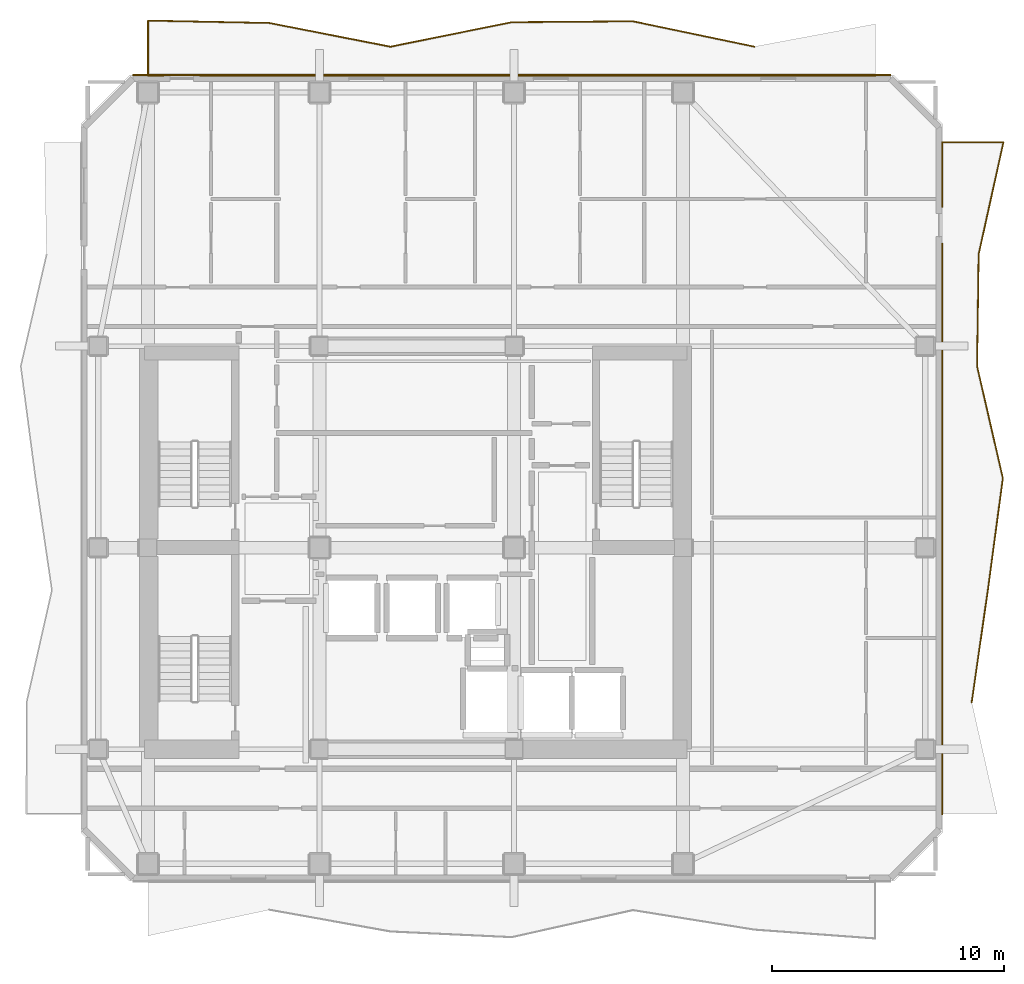
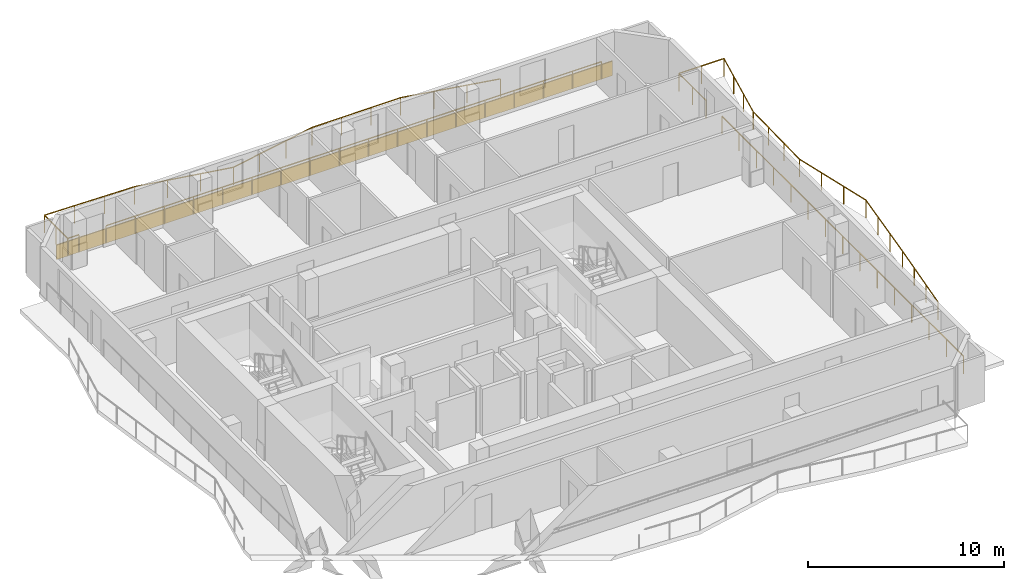
# One storey, part 9 of 9: 4 railings, 1 covering.
"""IFC4 building model written with IfcOpenShell, lengths in metres."""

from ifc_helpers import new_model, si_unit, direction, frame, frame_2d, origin, origin_2d, place, context, subcontext, project, spatial, rectangle, extrude, material, layer, layer_set, type_object, element, save


model = new_model("IFC4")

# Units and contexts
model_context = context("Model", 3, precision=1e-05, world=origin(), true_north=direction((0.0, 1.0)))
body_context = subcontext(model_context, "Body", "Model", "MODEL_VIEW")
ifc_project = project(units=[si_unit("LENGTHUNIT", "METRE"), si_unit("AREAUNIT", "SQUARE_METRE"), si_unit("VOLUMEUNIT", "CUBIC_METRE"), si_unit("PLANEANGLEUNIT", "RADIAN"), si_unit("MASSUNIT", "GRAM", prefix="KILO")], contexts=[model_context])

# Site, building, storey
site_placement = place(None, origin())
site = spatial("IfcSite", under=ifc_project, at=site_placement, CompositionType="ELEMENT")
building_placement = place(site_placement, origin())
building = spatial("IfcBuilding", under=site, at=building_placement, Name="Solanera Arch Residences", CompositionType="ELEMENT")
storey_placement = place(building_placement, frame((0.0, 0.0, 247.8798828125)))
storey = spatial("IfcBuildingStorey", under=building, at=storey_placement, Name="L72", CompositionType="ELEMENT", Elevation=247.8798828125)

# Railings
ifc_material_1 = material(Name="Steel S355 (ASTM A992 / A572 Grade 50)", Category="steel")
railing_type = type_object("IfcRailingType", Name="Balustrade Railing BL-1100", PredefinedType="BALUSTRADE", material=ifc_material_1)
railing_1_placement = place(storey_placement, frame((39.56689453125, 52.3330078125, 0.0)))
element("IfcRailing", 1, at=railing_1_placement, inside=storey, type_object=railing_type, Name="L72 N Balcony Balustrade 1", PredefinedType="BALUSTRADE", context=body_context, shape_type="SweptSolid", body=[
    extrude(rectangle(XDim=0.048095703125, YDim=0.048095703125, at=origin_2d()), frame((0.0, 0.0, 1.09619140625), z_axis=(-0.97884573591, 0.2045996708, 0.0), x_axis=(-0.2045996708, -0.97884573591, 0.0)), (0.0, 0.0, 1.0), 5.346923828125),
    extrude(rectangle(XDim=0.048095703125, YDim=0.048095703125, at=origin_2d()), frame((-5.23388671875, 1.093994140625, 1.09619140625), z_axis=(-0.999970729363, -0.007651171019, 0.0), x_axis=(0.007651171019, -0.999970729363, 0.0)), (0.0, 0.0, 1.0), 5.233154296875),
    extrude(rectangle(XDim=0.048095703125, YDim=0.048095703125, at=origin_2d()), frame((-10.466796875, 1.053955078125, 1.09619140625), z_axis=(-0.980209583843, -0.197962551363, 0.0), x_axis=(0.197962551363, -0.980209583843, 0.0)), (0.0, 0.0, 1.0), 5.3388671875),
    extrude(rectangle(XDim=0.048095703125, YDim=0.048095703125, at=origin_2d()), frame((-15.699951171875, -0.0029296875, 1.09619140625), z_axis=(-0.981396030262, 0.191994353527, 0.0), x_axis=(-0.191994353527, -0.981396030262, 0.0)), (0.0, 0.0, 1.0), 5.3330078125),
    extrude(rectangle(XDim=0.048095703125, YDim=0.048095703125, at=origin_2d()), frame((-20.933837890625, 1.02099609375, 1.09619140625), z_axis=(-0.999806258925, 0.019683612842, 0.0), x_axis=(-0.019683612842, -0.999806258925, 0.0)), (0.0, 0.0, 1.0), 5.234130859375),
    extrude(rectangle(XDim=0.048095703125, YDim=0.048095703125, at=origin_2d()), frame((-26.1669921875, 1.1240234375, 1.09619140625), z_axis=(0.0, -1.0, 0.0), x_axis=(1.0, 0.0, 0.0)), (0.0, 0.0, 1.0), 2.376953125),
    extrude(rectangle(XDim=0.048095703125, YDim=0.048095703125, at=origin_2d()), frame((-26.1669921875, -1.2529296875, 1.09619140625), z_axis=(1.0, 0.0, 0.0), x_axis=(0.0, 1.0, 0.0)), (0.0, 0.0, 1.0), 0.655029296875),
    extrude(rectangle(XDim=0.0419921875, YDim=0.0419921875, at=origin_2d()), origin(), (0.0, 0.0, 1.0), 1.072021484375),
    extrude(rectangle(XDim=0.0419921875, YDim=0.0419921875, at=origin_2d()), frame((-1.74462890625, 0.36474609375, 0.0)), (0.0, 0.0, 1.0), 1.072021484375),
    extrude(rectangle(XDim=0.0419921875, YDim=0.0419921875, at=origin_2d()), frame((-3.4892578125, 0.729248046875, 0.0)), (0.0, 0.0, 1.0), 1.072021484375),
    extrude(rectangle(XDim=0.0419921875, YDim=0.0419921875, at=origin_2d()), frame((-5.23388671875, 1.093994140625, 0.0)), (0.0, 0.0, 1.0), 1.072021484375),
    extrude(rectangle(XDim=0.0419921875, YDim=0.0419921875, at=origin_2d()), frame((-6.978271484375, 1.08056640625, 0.0)), (0.0, 0.0, 1.0), 1.072021484375),
    extrude(rectangle(XDim=0.0419921875, YDim=0.0419921875, at=origin_2d()), frame((-8.722412109375, 1.0673828125, 0.0)), (0.0, 0.0, 1.0), 1.072021484375),
    extrude(rectangle(XDim=0.0419921875, YDim=0.0419921875, at=origin_2d()), frame((-10.466796875, 1.053955078125, 0.0)), (0.0, 0.0, 1.0), 1.072021484375),
    extrude(rectangle(XDim=0.0419921875, YDim=0.0419921875, at=origin_2d()), frame((-12.211181640625, 0.70166015625, 0.0)), (0.0, 0.0, 1.0), 1.072021484375),
    extrude(rectangle(XDim=0.0419921875, YDim=0.0419921875, at=origin_2d()), frame((-13.95556640625, 0.349365234375, 0.0)), (0.0, 0.0, 1.0), 1.072021484375),
    extrude(rectangle(XDim=0.0419921875, YDim=0.0419921875, at=origin_2d()), frame((-15.699951171875, -0.0029296875, 0.0)), (0.0, 0.0, 1.0), 1.072021484375),
    extrude(rectangle(XDim=0.0419921875, YDim=0.0419921875, at=origin_2d()), frame((-17.444580078125, 0.33837890625, 0.0)), (0.0, 0.0, 1.0), 1.072021484375),
    extrude(rectangle(XDim=0.0419921875, YDim=0.0419921875, at=origin_2d()), frame((-19.189208984375, 0.6796875, 0.0)), (0.0, 0.0, 1.0), 1.072021484375),
    extrude(rectangle(XDim=0.0419921875, YDim=0.0419921875, at=origin_2d()), frame((-20.933837890625, 1.02099609375, 0.0)), (0.0, 0.0, 1.0), 1.072021484375),
    extrude(rectangle(XDim=0.0419921875, YDim=0.0419921875, at=origin_2d()), frame((-22.67822265625, 1.055419921875, 0.0)), (0.0, 0.0, 1.0), 1.072021484375),
    extrude(rectangle(XDim=0.0419921875, YDim=0.0419921875, at=origin_2d()), frame((-24.422607421875, 1.089599609375, 0.0)), (0.0, 0.0, 1.0), 1.072021484375),
    extrude(rectangle(XDim=0.0419921875, YDim=0.0419921875, at=origin_2d()), frame((-26.1669921875, 1.1240234375, 0.0)), (0.0, 0.0, 1.0), 1.072021484375),
    extrude(rectangle(XDim=0.0419921875, YDim=0.0419921875, at=origin_2d()), frame((-26.1669921875, -0.064453125, 0.0)), (0.0, 0.0, 1.0), 1.072021484375),
    extrude(rectangle(XDim=0.0419921875, YDim=0.0419921875, at=origin_2d()), frame((-26.1669921875, -1.2529296875, 0.0)), (0.0, 0.0, 1.0), 1.072021484375),
    extrude(rectangle(XDim=0.0419921875, YDim=0.0419921875, at=origin_2d()), frame((-25.511962890625, -1.2529296875, 0.0)), (0.0, 0.0, 1.0), 1.072021484375),
])
railing_2_placement = place(storey_placement, frame((15.655029296875, 51.080078125, 0.0)))
element("IfcRailing", 2, at=railing_2_placement, inside=storey, type_object=railing_type, Name="L72 N Balcony Balustrade 2", PredefinedType="BALUSTRADE", context=body_context, shape_type="SweptSolid", body=[
    extrude(rectangle(XDim=0.048095703125, YDim=0.048095703125, at=origin_2d()), frame((0.0, 0.0, 1.09619140625), z_axis=(1.0, 0.0, 0.0), x_axis=(0.0, 1.0, 0.0)), (0.0, 0.0, 1.0), 29.14501953125),
    extrude(rectangle(XDim=0.0419921875, YDim=0.0419921875, at=origin_2d()), origin(), (0.0, 0.0, 1.0), 1.072021484375),
    extrude(rectangle(XDim=0.0419921875, YDim=0.0419921875, at=origin_2d()), frame((1.71435546875, 0.0, 0.0)), (0.0, 0.0, 1.0), 1.072021484375),
    extrude(rectangle(XDim=0.0419921875, YDim=0.0419921875, at=origin_2d()), frame((3.4287109375, 0.0, 0.0)), (0.0, 0.0, 1.0), 1.072021484375),
    extrude(rectangle(XDim=0.0419921875, YDim=0.0419921875, at=origin_2d()), frame((5.143310546875, 0.0, 0.0)), (0.0, 0.0, 1.0), 1.072021484375),
    extrude(rectangle(XDim=0.0419921875, YDim=0.0419921875, at=origin_2d()), frame((6.857666015625, 0.0, 0.0)), (0.0, 0.0, 1.0), 1.072021484375),
    extrude(rectangle(XDim=0.0419921875, YDim=0.0419921875, at=origin_2d()), frame((8.572021484375, 0.0, 0.0)), (0.0, 0.0, 1.0), 1.072021484375),
    extrude(rectangle(XDim=0.0419921875, YDim=0.0419921875, at=origin_2d()), frame((10.286376953125, 0.0, 0.0)), (0.0, 0.0, 1.0), 1.072021484375),
    extrude(rectangle(XDim=0.0419921875, YDim=0.0419921875, at=origin_2d()), frame((12.0009765625, 0.0, 0.0)), (0.0, 0.0, 1.0), 1.072021484375),
    extrude(rectangle(XDim=0.0419921875, YDim=0.0419921875, at=origin_2d()), frame((13.71533203125, 0.0, 0.0)), (0.0, 0.0, 1.0), 1.072021484375),
    extrude(rectangle(XDim=0.0419921875, YDim=0.0419921875, at=origin_2d()), frame((15.4296875, 0.0, 0.0)), (0.0, 0.0, 1.0), 1.072021484375),
    extrude(rectangle(XDim=0.0419921875, YDim=0.0419921875, at=origin_2d()), frame((17.14404296875, 0.0, 0.0)), (0.0, 0.0, 1.0), 1.072021484375),
    extrude(rectangle(XDim=0.0419921875, YDim=0.0419921875, at=origin_2d()), frame((18.858642578125, 0.0, 0.0)), (0.0, 0.0, 1.0), 1.072021484375),
    extrude(rectangle(XDim=0.0419921875, YDim=0.0419921875, at=origin_2d()), frame((20.572998046875, 0.0, 0.0)), (0.0, 0.0, 1.0), 1.072021484375),
    extrude(rectangle(XDim=0.0419921875, YDim=0.0419921875, at=origin_2d()), frame((22.287353515625, 0.0, 0.0)), (0.0, 0.0, 1.0), 1.072021484375),
    extrude(rectangle(XDim=0.0419921875, YDim=0.0419921875, at=origin_2d()), frame((24.001708984375, 0.0, 0.0)), (0.0, 0.0, 1.0), 1.072021484375),
    extrude(rectangle(XDim=0.0419921875, YDim=0.0419921875, at=origin_2d()), frame((25.71630859375, 0.0, 0.0)), (0.0, 0.0, 1.0), 1.072021484375),
    extrude(rectangle(XDim=0.0419921875, YDim=0.0419921875, at=origin_2d()), frame((27.4306640625, 0.0, 0.0)), (0.0, 0.0, 1.0), 1.072021484375),
    extrude(rectangle(XDim=0.0419921875, YDim=0.0419921875, at=origin_2d()), frame((29.14501953125, 0.0, 0.0)), (0.0, 0.0, 1.0), 1.072021484375),
])
railing_3_placement = place(storey_placement, frame((48.9619140625, 24.032958984375, 0.0)))
element("IfcRailing", 3, at=railing_3_placement, inside=storey, type_object=railing_type, Name="L72 E Balcony Balustrade 1", PredefinedType="BALUSTRADE", context=body_context, shape_type="SweptSolid", body=[
    extrude(rectangle(XDim=0.048095703125, YDim=0.048095703125, at=origin_2d()), frame((0.0, 0.0, 1.09619140625), z_axis=(0.14271592618, 0.989763691198, 0.0), x_axis=(-0.989763691198, 0.14271592618, 0.0)), (0.0, 0.0, 1.0), 4.884033203125),
    extrude(rectangle(XDim=0.048095703125, YDim=0.048095703125, at=origin_2d()), frame((0.697021484375, 4.833984375, 1.09619140625), z_axis=(0.132681879596, 0.991158674899, 0.0), x_axis=(-0.991158674899, 0.132681879596, 0.0)), (0.0, 0.0, 1.0), 4.876220703125),
    extrude(rectangle(XDim=0.048095703125, YDim=0.048095703125, at=origin_2d()), frame((1.343994140625, 9.6669921875, 1.09619140625), z_axis=(-0.224377716095, 0.974502252701, 0.0), x_axis=(-0.974502252701, -0.224377716095, 0.0)), (0.0, 0.0, 1.0), 4.95947265625),
    extrude(rectangle(XDim=0.048095703125, YDim=0.048095703125, at=origin_2d()), frame((0.231201171875, 14.5, 1.09619140625), z_axis=(0.014039020332, 0.999901448098, 0.0), x_axis=(-0.999901448098, 0.014039020332, 0.0)), (0.0, 0.0, 1.0), 4.83447265625),
    extrude(rectangle(XDim=0.048095703125, YDim=0.048095703125, at=origin_2d()), frame((0.299072265625, 19.333984375, 1.09619140625), z_axis=(0.215985096731, 0.97639666017, 0.0), x_axis=(-0.97639666017, 0.215985096731, 0.0)), (0.0, 0.0, 1.0), 4.949951171875),
    extrude(rectangle(XDim=0.048095703125, YDim=0.048095703125, at=origin_2d()), frame((1.3681640625, 24.1669921875, 1.09619140625), z_axis=(-1.0, 0.0, 0.0), x_axis=(0.0, -1.0, 0.0)), (0.0, 0.0, 1.0), 2.650146484375),
    extrude(rectangle(XDim=0.048095703125, YDim=0.048095703125, at=origin_2d()), frame((-1.281982421875, 24.1669921875, 1.09619140625), z_axis=(0.0, -1.0, 0.0), x_axis=(1.0, 0.0, 0.0)), (0.0, 0.0, 1.0), 2.77392578125),
    extrude(rectangle(XDim=0.0419921875, YDim=0.0419921875, at=origin_2d()), origin(), (0.0, 0.0, 1.0), 1.072021484375),
    extrude(rectangle(XDim=0.0419921875, YDim=0.0419921875, at=origin_2d()), frame((0.232421875, 1.611328125, 0.0)), (0.0, 0.0, 1.0), 1.072021484375),
    extrude(rectangle(XDim=0.0419921875, YDim=0.0419921875, at=origin_2d()), frame((0.464599609375, 3.22265625, 0.0)), (0.0, 0.0, 1.0), 1.072021484375),
    extrude(rectangle(XDim=0.0419921875, YDim=0.0419921875, at=origin_2d()), frame((0.697021484375, 4.833984375, 0.0)), (0.0, 0.0, 1.0), 1.072021484375),
    extrude(rectangle(XDim=0.0419921875, YDim=0.0419921875, at=origin_2d()), frame((0.91259765625, 6.445068359375, 0.0)), (0.0, 0.0, 1.0), 1.072021484375),
    extrude(rectangle(XDim=0.0419921875, YDim=0.0419921875, at=origin_2d()), frame((1.12841796875, 8.055908203125, 0.0)), (0.0, 0.0, 1.0), 1.072021484375),
    extrude(rectangle(XDim=0.0419921875, YDim=0.0419921875, at=origin_2d()), frame((1.343994140625, 9.6669921875, 0.0)), (0.0, 0.0, 1.0), 1.072021484375),
    extrude(rectangle(XDim=0.0419921875, YDim=0.0419921875, at=origin_2d()), frame((0.97314453125, 11.278076171875, 0.0)), (0.0, 0.0, 1.0), 1.072021484375),
    extrude(rectangle(XDim=0.0419921875, YDim=0.0419921875, at=origin_2d()), frame((0.60205078125, 12.888916015625, 0.0)), (0.0, 0.0, 1.0), 1.072021484375),
    extrude(rectangle(XDim=0.0419921875, YDim=0.0419921875, at=origin_2d()), frame((0.231201171875, 14.5, 0.0)), (0.0, 0.0, 1.0), 1.072021484375),
    extrude(rectangle(XDim=0.0419921875, YDim=0.0419921875, at=origin_2d()), frame((0.25390625, 16.111328125, 0.0)), (0.0, 0.0, 1.0), 1.072021484375),
    extrude(rectangle(XDim=0.0419921875, YDim=0.0419921875, at=origin_2d()), frame((0.2763671875, 17.72265625, 0.0)), (0.0, 0.0, 1.0), 1.072021484375),
    extrude(rectangle(XDim=0.0419921875, YDim=0.0419921875, at=origin_2d()), frame((0.299072265625, 19.333984375, 0.0)), (0.0, 0.0, 1.0), 1.072021484375),
    extrude(rectangle(XDim=0.0419921875, YDim=0.0419921875, at=origin_2d()), frame((0.655517578125, 20.945068359375, 0.0)), (0.0, 0.0, 1.0), 1.072021484375),
    extrude(rectangle(XDim=0.0419921875, YDim=0.0419921875, at=origin_2d()), frame((1.01171875, 22.555908203125, 0.0)), (0.0, 0.0, 1.0), 1.072021484375),
    extrude(rectangle(XDim=0.0419921875, YDim=0.0419921875, at=origin_2d()), frame((1.3681640625, 24.1669921875, 0.0)), (0.0, 0.0, 1.0), 1.072021484375),
    extrude(rectangle(XDim=0.0419921875, YDim=0.0419921875, at=origin_2d()), frame((0.04296875, 24.1669921875, 0.0)), (0.0, 0.0, 1.0), 1.072021484375),
    extrude(rectangle(XDim=0.0419921875, YDim=0.0419921875, at=origin_2d()), frame((-1.281982421875, 24.1669921875, 0.0)), (0.0, 0.0, 1.0), 1.072021484375),
    extrude(rectangle(XDim=0.0419921875, YDim=0.0419921875, at=origin_2d()), frame((-1.281982421875, 22.780029296875, 0.0)), (0.0, 0.0, 1.0), 1.072021484375),
    extrude(rectangle(XDim=0.0419921875, YDim=0.0419921875, at=origin_2d()), frame((-1.281982421875, 21.39306640625, 0.0)), (0.0, 0.0, 1.0), 1.072021484375),
])
railing_4_placement = place(storey_placement, frame((47.679931640625, 43.825927734375, 0.0)))
element("IfcRailing", 4, at=railing_4_placement, inside=storey, type_object=railing_type, Name="L72 E Balcony Balustrade 2", PredefinedType="BALUSTRADE", context=body_context, shape_type="SweptSolid", body=[
    extrude(rectangle(XDim=0.048095703125, YDim=0.048095703125, at=origin_2d()), frame((0.0, 0.0, 1.09619140625), z_axis=(0.0, -1.0, 0.0), x_axis=(1.0, 0.0, 0.0)), (0.0, 0.0, 1.0), 24.6259765625),
    extrude(rectangle(XDim=0.0419921875, YDim=0.0419921875, at=origin_2d()), origin(), (0.0, 0.0, 1.0), 1.072021484375),
    extrude(rectangle(XDim=0.0419921875, YDim=0.0419921875, at=origin_2d()), frame((0.0, -1.759033203125, 0.0)), (0.0, 0.0, 1.0), 1.072021484375),
    extrude(rectangle(XDim=0.0419921875, YDim=0.0419921875, at=origin_2d()), frame((0.0, -3.51806640625, 0.0)), (0.0, 0.0, 1.0), 1.072021484375),
    extrude(rectangle(XDim=0.0419921875, YDim=0.0419921875, at=origin_2d()), frame((0.0, -5.277099609375, 0.0)), (0.0, 0.0, 1.0), 1.072021484375),
    extrude(rectangle(XDim=0.0419921875, YDim=0.0419921875, at=origin_2d()), frame((0.0, -7.035888671875, 0.0)), (0.0, 0.0, 1.0), 1.072021484375),
    extrude(rectangle(XDim=0.0419921875, YDim=0.0419921875, at=origin_2d()), frame((0.0, -8.794921875, 0.0)), (0.0, 0.0, 1.0), 1.072021484375),
    extrude(rectangle(XDim=0.0419921875, YDim=0.0419921875, at=origin_2d()), frame((0.0, -10.553955078125, 0.0)), (0.0, 0.0, 1.0), 1.072021484375),
    extrude(rectangle(XDim=0.0419921875, YDim=0.0419921875, at=origin_2d()), frame((0.0, -12.31298828125, 0.0)), (0.0, 0.0, 1.0), 1.072021484375),
    extrude(rectangle(XDim=0.0419921875, YDim=0.0419921875, at=origin_2d()), frame((0.0, -14.072021484375, 0.0)), (0.0, 0.0, 1.0), 1.072021484375),
    extrude(rectangle(XDim=0.0419921875, YDim=0.0419921875, at=origin_2d()), frame((0.0, -15.8310546875, 0.0)), (0.0, 0.0, 1.0), 1.072021484375),
    extrude(rectangle(XDim=0.0419921875, YDim=0.0419921875, at=origin_2d()), frame((0.0, -17.590087890625, 0.0)), (0.0, 0.0, 1.0), 1.072021484375),
    extrude(rectangle(XDim=0.0419921875, YDim=0.0419921875, at=origin_2d()), frame((0.0, -19.348876953125, 0.0)), (0.0, 0.0, 1.0), 1.072021484375),
    extrude(rectangle(XDim=0.0419921875, YDim=0.0419921875, at=origin_2d()), frame((0.0, -21.10791015625, 0.0)), (0.0, 0.0, 1.0), 1.072021484375),
    extrude(rectangle(XDim=0.0419921875, YDim=0.0419921875, at=origin_2d()), frame((0.0, -22.866943359375, 0.0)), (0.0, 0.0, 1.0), 1.072021484375),
    extrude(rectangle(XDim=0.0419921875, YDim=0.0419921875, at=origin_2d()), frame((0.0, -24.6259765625, 0.0)), (0.0, 0.0, 1.0), 1.072021484375),
])

# Covering
ifc_material_2 = material(Name="Philippine Adobe Travertine Cladding", Category="masonry")
ifc_layer = layer(ifc_material_2, 0.06005859375)
ifc_layer_set = layer_set([ifc_layer], Name="Philippine Adobe Travertine Cladding")
covering_type = type_object("IfcCoveringType", Name="Precast Pier Stone Cladding CLD-60", PredefinedType="CLADDING", material=ifc_layer_set)
covering_placement = place(storey_placement, frame((12.7451171875, 51.114990234375, 0.0), z_axis=(0.0, 0.0, 1.0), x_axis=(1.0, 0.0, 0.0)))
element("IfcCovering", 5, at=covering_placement, inside=storey, type_object=covering_type, Name="L72 N Precast Spandrel Stone Band", PredefinedType="CLADDING", context=body_context, shape_type="SweptSolid", body=[
    extrude(rectangle(XDim=32.7099609375, YDim=0.06005859375, at=frame_2d((16.35498046875, 0.0))), origin(), (0.0, 0.0, 1.0), 0.900146484375),
])

save(model, "model.ifc")
